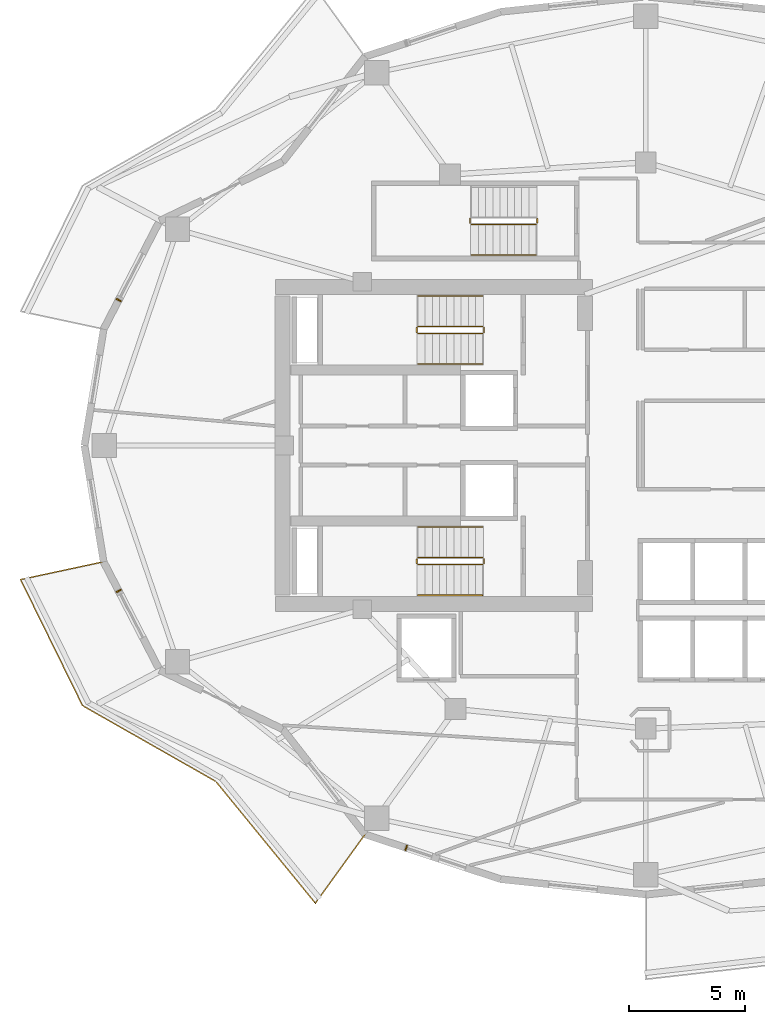
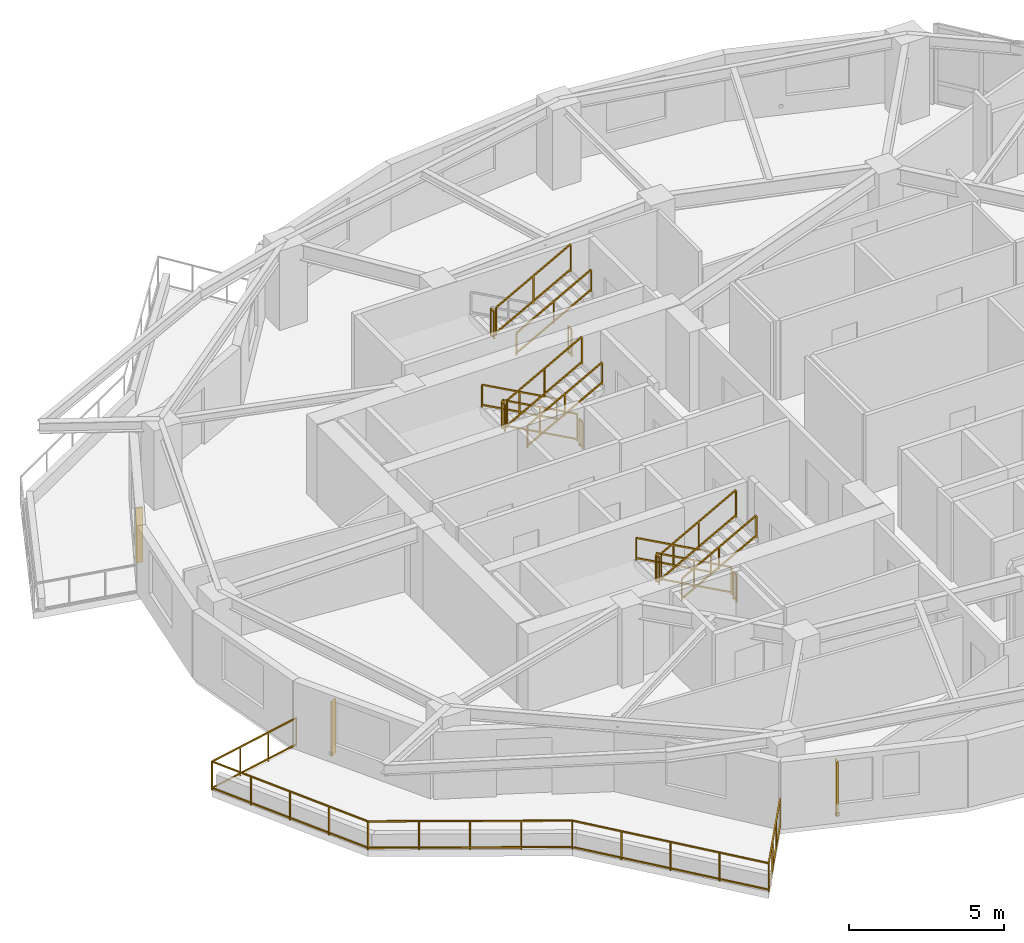
# One storey, part 13 of 15: 17 railings, 3 shading devices.
"""IFC4 building model written with IfcOpenShell, lengths in metres."""

from ifc_helpers import new_model, si_unit, direction, frame, origin, origin_2d, place, context, subcontext, project, spatial, rectangle, extrude, material, type_object, element, save


model = new_model("IFC4")

# Units and contexts
model_context = context("Model", 3, precision=1e-05, world=origin(), true_north=direction((0.0, 1.0)))
body_context = subcontext(model_context, "Body", "Model", "MODEL_VIEW")
ifc_project = project(units=[si_unit("LENGTHUNIT", "METRE"), si_unit("AREAUNIT", "SQUARE_METRE"), si_unit("VOLUMEUNIT", "CUBIC_METRE"), si_unit("PLANEANGLEUNIT", "RADIAN"), si_unit("MASSUNIT", "GRAM", prefix="KILO")], contexts=[model_context])

# Site, building, storey
site_placement = place(None, origin())
site = spatial("IfcSite", under=ifc_project, at=site_placement, CompositionType="ELEMENT")
building_placement = place(site_placement, origin())
building = spatial("IfcBuilding", under=site, at=building_placement, Name="Kolvaren Gate Tower and Convention Centre", CompositionType="ELEMENT")
storey_placement = place(building_placement, frame((0.0, 0.0, 129.10009765625)))
storey = spatial("IfcBuildingStorey", under=building, at=storey_placement, Name="L32", CompositionType="ELEMENT", Elevation=129.10009765625)

# Railings
ifc_material_1 = material(Name="Brushed Stainless Steel Grade 316L", Category="steel")
railing_type_1 = type_object("IfcRailingType", Name="ARCH-RL-GUARD-1150", PredefinedType="GUARDRAIL", material=ifc_material_1)
railing_1_placement = place(storey_placement, frame((23.10009765625, 32.1298828125, 0.169921875)))
element("IfcRailing", 1, at=railing_1_placement, inside=storey, type_object=railing_type_1, Name="L32 ST-T1 stair guard 1", PredefinedType="GUARDRAIL", context=body_context, shape_type="SweptSolid", body=[
    extrude(rectangle(XDim=0.048095703125, YDim=0.048095703125, at=origin_2d()), frame((0.0, 0.0, 1.076171875), z_axis=(-0.876811365212, 0.0, 0.480834513982), x_axis=(0.0, -1.0, 0.0)), (0.0, 0.0, 1.0), 3.18212890625),
    extrude(rectangle(XDim=0.048095703125, YDim=0.048095703125, at=origin_2d()), frame((0.0, 0.0, 0.083984375), z_axis=(-0.876811365212, 0.0, 0.480834513982), x_axis=(0.0, -1.0, 0.0)), (0.0, 0.0, 1.0), 3.18212890625),
    extrude(rectangle(XDim=0.0419921875, YDim=0.0419921875, at=origin_2d()), origin(), (0.0, 0.0, 1.0), 1.050048828125),
    extrude(rectangle(XDim=0.0419921875, YDim=0.0419921875, at=origin_2d()), frame((-2.7900390625, 0.0, 1.530029296875)), (0.0, 0.0, 1.0), 1.050048828125),
    extrude(rectangle(XDim=0.0419921875, YDim=0.0419921875, at=origin_2d()), frame((-1.39501953125, 0.0, 0.76513671875)), (0.0, 0.0, 1.0), 1.050048828125),
])
railing_2_placement = place(storey_placement, frame((20.260009765625, 32.080078125, 1.699951171875)))
element("IfcRailing", 2, at=railing_2_placement, inside=storey, type_object=railing_type_1, Name="L32 ST-T1 stair guard 2", PredefinedType="GUARDRAIL", context=body_context, shape_type="SweptSolid", body=[
    extrude(rectangle(XDim=0.048095703125, YDim=0.048095703125, at=origin_2d()), frame((0.0, 0.0, 1.076171875), z_axis=(0.0, -1.0, 0.0), x_axis=(1.0, 0.0, 0.0)), (0.0, 0.0, 1.0), 0.2001953125),
    extrude(rectangle(XDim=0.048095703125, YDim=0.048095703125, at=origin_2d()), frame((0.0, 0.0, 0.083984375), z_axis=(0.0, -1.0, 0.0), x_axis=(1.0, 0.0, 0.0)), (0.0, 0.0, 1.0), 0.2001953125),
    extrude(rectangle(XDim=0.0419921875, YDim=0.0419921875, at=origin_2d()), origin(), (0.0, 0.0, 1.0), 1.050048828125),
    extrude(rectangle(XDim=0.0419921875, YDim=0.0419921875, at=origin_2d()), frame((0.0, -0.2001953125, 0.0)), (0.0, 0.0, 1.0), 1.050048828125),
])
railing_3_placement = place(storey_placement, frame((20.31005859375, 31.830078125, 1.869873046875)))
element("IfcRailing", 3, at=railing_3_placement, inside=storey, type_object=railing_type_1, Name="L32 ST-T1 stair guard 3", PredefinedType="GUARDRAIL", context=body_context, shape_type="SweptSolid", body=[
    extrude(rectangle(XDim=0.048095703125, YDim=0.048095703125, at=origin_2d()), frame((0.0, 0.0, 1.076171875), z_axis=(0.876811365212, 0.0, 0.480834513982), x_axis=(0.0, 1.0, 0.0)), (0.0, 0.0, 1.0), 3.18212890625),
    extrude(rectangle(XDim=0.048095703125, YDim=0.048095703125, at=origin_2d()), frame((0.0, 0.0, 0.083984375), z_axis=(0.876811365212, 0.0, 0.480834513982), x_axis=(0.0, 1.0, 0.0)), (0.0, 0.0, 1.0), 3.18212890625),
    extrude(rectangle(XDim=0.0419921875, YDim=0.0419921875, at=origin_2d()), origin(), (0.0, 0.0, 1.0), 1.050048828125),
    extrude(rectangle(XDim=0.0419921875, YDim=0.0419921875, at=origin_2d()), frame((2.7900390625, 0.0, 1.530029296875)), (0.0, 0.0, 1.0), 1.050048828125),
    extrude(rectangle(XDim=0.0419921875, YDim=0.0419921875, at=origin_2d()), frame((1.39501953125, 0.0, 0.76513671875)), (0.0, 0.0, 1.0), 1.050048828125),
])
railing_4_placement = place(storey_placement, frame((23.14990234375, 32.080078125, 0.0)))
element("IfcRailing", 4, at=railing_4_placement, inside=storey, type_object=railing_type_1, Name="L32 ST-T1 stair guard 4", PredefinedType="GUARDRAIL", context=body_context, shape_type="SweptSolid", body=[
    extrude(rectangle(XDim=0.048095703125, YDim=0.048095703125, at=origin_2d()), frame((0.0, 0.0, 1.076171875), z_axis=(0.0, -1.0, 0.0), x_axis=(1.0, 0.0, 0.0)), (0.0, 0.0, 1.0), 0.2001953125),
    extrude(rectangle(XDim=0.048095703125, YDim=0.048095703125, at=origin_2d()), frame((0.0, 0.0, 0.083984375), z_axis=(0.0, -1.0, 0.0), x_axis=(1.0, 0.0, 0.0)), (0.0, 0.0, 1.0), 0.2001953125),
    extrude(rectangle(XDim=0.0419921875, YDim=0.0419921875, at=origin_2d()), origin(), (0.0, 0.0, 1.0), 1.050048828125),
    extrude(rectangle(XDim=0.0419921875, YDim=0.0419921875, at=origin_2d()), frame((0.0, -0.2001953125, 0.0)), (0.0, 0.0, 1.0), 1.050048828125),
])
railing_5_placement = place(storey_placement, frame((23.10009765625, 22.169921875, 0.169921875)))
element("IfcRailing", 5, at=railing_5_placement, inside=storey, type_object=railing_type_1, Name="L32 ST-T2 stair guard 1", PredefinedType="GUARDRAIL", context=body_context, shape_type="SweptSolid", body=[
    extrude(rectangle(XDim=0.048095703125, YDim=0.048095703125, at=origin_2d()), frame((0.0, 0.0, 1.076171875), z_axis=(-0.876811365212, 0.0, 0.480834513982), x_axis=(0.0, -1.0, 0.0)), (0.0, 0.0, 1.0), 3.18212890625),
    extrude(rectangle(XDim=0.048095703125, YDim=0.048095703125, at=origin_2d()), frame((0.0, 0.0, 0.083984375), z_axis=(-0.876811365212, 0.0, 0.480834513982), x_axis=(0.0, -1.0, 0.0)), (0.0, 0.0, 1.0), 3.18212890625),
    extrude(rectangle(XDim=0.0419921875, YDim=0.0419921875, at=origin_2d()), origin(), (0.0, 0.0, 1.0), 1.050048828125),
    extrude(rectangle(XDim=0.0419921875, YDim=0.0419921875, at=origin_2d()), frame((-2.7900390625, 0.0, 1.530029296875)), (0.0, 0.0, 1.0), 1.050048828125),
    extrude(rectangle(XDim=0.0419921875, YDim=0.0419921875, at=origin_2d()), frame((-1.39501953125, 0.0, 0.76513671875)), (0.0, 0.0, 1.0), 1.050048828125),
])
railing_6_placement = place(storey_placement, frame((20.260009765625, 22.1201171875, 1.699951171875)))
element("IfcRailing", 6, at=railing_6_placement, inside=storey, type_object=railing_type_1, Name="L32 ST-T2 stair guard 2", PredefinedType="GUARDRAIL", context=body_context, shape_type="SweptSolid", body=[
    extrude(rectangle(XDim=0.048095703125, YDim=0.048095703125, at=origin_2d()), frame((0.0, 0.0, 1.076171875), z_axis=(0.0, -1.0, 0.0), x_axis=(1.0, 0.0, 0.0)), (0.0, 0.0, 1.0), 0.2001953125),
    extrude(rectangle(XDim=0.048095703125, YDim=0.048095703125, at=origin_2d()), frame((0.0, 0.0, 0.083984375), z_axis=(0.0, -1.0, 0.0), x_axis=(1.0, 0.0, 0.0)), (0.0, 0.0, 1.0), 0.2001953125),
    extrude(rectangle(XDim=0.0419921875, YDim=0.0419921875, at=origin_2d()), origin(), (0.0, 0.0, 1.0), 1.050048828125),
    extrude(rectangle(XDim=0.0419921875, YDim=0.0419921875, at=origin_2d()), frame((0.0, -0.2001953125, 0.0)), (0.0, 0.0, 1.0), 1.050048828125),
])
railing_7_placement = place(storey_placement, frame((20.31005859375, 21.8701171875, 1.869873046875)))
element("IfcRailing", 7, at=railing_7_placement, inside=storey, type_object=railing_type_1, Name="L32 ST-T2 stair guard 3", PredefinedType="GUARDRAIL", context=body_context, shape_type="SweptSolid", body=[
    extrude(rectangle(XDim=0.048095703125, YDim=0.048095703125, at=origin_2d()), frame((0.0, 0.0, 1.076171875), z_axis=(0.876811365212, 0.0, 0.480834513982), x_axis=(0.0, 1.0, 0.0)), (0.0, 0.0, 1.0), 3.18212890625),
    extrude(rectangle(XDim=0.048095703125, YDim=0.048095703125, at=origin_2d()), frame((0.0, 0.0, 0.083984375), z_axis=(0.876811365212, 0.0, 0.480834513982), x_axis=(0.0, 1.0, 0.0)), (0.0, 0.0, 1.0), 3.18212890625),
    extrude(rectangle(XDim=0.0419921875, YDim=0.0419921875, at=origin_2d()), origin(), (0.0, 0.0, 1.0), 1.050048828125),
    extrude(rectangle(XDim=0.0419921875, YDim=0.0419921875, at=origin_2d()), frame((2.7900390625, 0.0, 1.530029296875)), (0.0, 0.0, 1.0), 1.050048828125),
    extrude(rectangle(XDim=0.0419921875, YDim=0.0419921875, at=origin_2d()), frame((1.39501953125, 0.0, 0.76513671875)), (0.0, 0.0, 1.0), 1.050048828125),
])
railing_8_placement = place(storey_placement, frame((23.14990234375, 22.1201171875, 0.0)))
element("IfcRailing", 8, at=railing_8_placement, inside=storey, type_object=railing_type_1, Name="L32 ST-T2 stair guard 4", PredefinedType="GUARDRAIL", context=body_context, shape_type="SweptSolid", body=[
    extrude(rectangle(XDim=0.048095703125, YDim=0.048095703125, at=origin_2d()), frame((0.0, 0.0, 1.076171875), z_axis=(0.0, -1.0, 0.0), x_axis=(1.0, 0.0, 0.0)), (0.0, 0.0, 1.0), 0.2001953125),
    extrude(rectangle(XDim=0.048095703125, YDim=0.048095703125, at=origin_2d()), frame((0.0, 0.0, 0.083984375), z_axis=(0.0, -1.0, 0.0), x_axis=(1.0, 0.0, 0.0)), (0.0, 0.0, 1.0), 0.2001953125),
    extrude(rectangle(XDim=0.0419921875, YDim=0.0419921875, at=origin_2d()), origin(), (0.0, 0.0, 1.0), 1.050048828125),
    extrude(rectangle(XDim=0.0419921875, YDim=0.0419921875, at=origin_2d()), frame((0.0, -0.2001953125, 0.0)), (0.0, 0.0, 1.0), 1.050048828125),
])
railing_9_placement = place(storey_placement, frame((22.56005859375, 36.780029296875, 1.699951171875)))
element("IfcRailing", 9, at=railing_9_placement, inside=storey, type_object=railing_type_1, Name="L32 ST-T3 stair guard 2", PredefinedType="GUARDRAIL", context=body_context, shape_type="SweptSolid", body=[
    extrude(rectangle(XDim=0.048095703125, YDim=0.048095703125, at=origin_2d()), frame((0.0, 0.0, 1.076171875), z_axis=(0.0, -1.0, 0.0), x_axis=(1.0, 0.0, 0.0)), (0.0, 0.0, 1.0), 0.199951171875),
    extrude(rectangle(XDim=0.048095703125, YDim=0.048095703125, at=origin_2d()), frame((0.0, 0.0, 0.083984375), z_axis=(0.0, -1.0, 0.0), x_axis=(1.0, 0.0, 0.0)), (0.0, 0.0, 1.0), 0.199951171875),
    extrude(rectangle(XDim=0.0419921875, YDim=0.0419921875, at=origin_2d()), origin(), (0.0, 0.0, 1.0), 1.050048828125),
    extrude(rectangle(XDim=0.0419921875, YDim=0.0419921875, at=origin_2d()), frame((0.0, -0.199951171875, 0.0)), (0.0, 0.0, 1.0), 1.050048828125),
])
railing_10_placement = place(storey_placement, frame((22.610107421875, 36.530029296875, 1.869873046875)))
element("IfcRailing", 10, at=railing_10_placement, inside=storey, type_object=railing_type_1, Name="L32 ST-T3 stair guard 3", PredefinedType="GUARDRAIL", context=body_context, shape_type="SweptSolid", body=[
    extrude(rectangle(XDim=0.048095703125, YDim=0.048095703125, at=origin_2d()), frame((0.0, 0.0, 1.076171875), z_axis=(0.8767936245, 0.0, 0.480866863109), x_axis=(0.0, 1.0, 0.0)), (0.0, 0.0, 1.0), 3.181884765625),
    extrude(rectangle(XDim=0.048095703125, YDim=0.048095703125, at=origin_2d()), frame((0.0, 0.0, 0.083984375), z_axis=(0.8767936245, 0.0, 0.480866863109), x_axis=(0.0, 1.0, 0.0)), (0.0, 0.0, 1.0), 3.181884765625),
    extrude(rectangle(XDim=0.0419921875, YDim=0.0419921875, at=origin_2d()), origin(), (0.0, 0.0, 1.0), 1.050048828125),
    extrude(rectangle(XDim=0.0419921875, YDim=0.0419921875, at=origin_2d()), frame((2.789794921875, 0.0, 1.530029296875)), (0.0, 0.0, 1.0), 1.050048828125),
    extrude(rectangle(XDim=0.0419921875, YDim=0.0419921875, at=origin_2d()), frame((1.39501953125, 0.0, 0.76513671875)), (0.0, 0.0, 1.0), 1.050048828125),
])
railing_11_placement = place(storey_placement, frame((25.449951171875, 36.780029296875, 0.0)))
element("IfcRailing", 11, at=railing_11_placement, inside=storey, type_object=railing_type_1, Name="L32 ST-T3 stair guard 4", PredefinedType="GUARDRAIL", context=body_context, shape_type="SweptSolid", body=[
    extrude(rectangle(XDim=0.048095703125, YDim=0.048095703125, at=origin_2d()), frame((0.0, 0.0, 1.076171875), z_axis=(0.0, -1.0, 0.0), x_axis=(1.0, 0.0, 0.0)), (0.0, 0.0, 1.0), 0.199951171875),
    extrude(rectangle(XDim=0.048095703125, YDim=0.048095703125, at=origin_2d()), frame((0.0, 0.0, 0.083984375), z_axis=(0.0, -1.0, 0.0), x_axis=(1.0, 0.0, 0.0)), (0.0, 0.0, 1.0), 0.199951171875),
    extrude(rectangle(XDim=0.0419921875, YDim=0.0419921875, at=origin_2d()), origin(), (0.0, 0.0, 1.0), 1.050048828125),
    extrude(rectangle(XDim=0.0419921875, YDim=0.0419921875, at=origin_2d()), frame((0.0, -0.199951171875, 0.0)), (0.0, 0.0, 1.0), 1.050048828125),
])
railing_12_placement = place(storey_placement, frame((6.76171875, 21.991943359375, 0.0)))
element("IfcRailing", 12, at=railing_12_placement, inside=storey, type_object=railing_type_1, Name="Tower L32 Terrace Perimeter Guardrail GR-2", PredefinedType="GUARDRAIL", context=body_context, shape_type="SweptSolid", body=[
    extrude(rectangle(XDim=0.048095703125, YDim=0.048095703125, at=origin_2d()), frame((-0.02734375, -0.005859375, 1.1259765625), z_axis=(-0.977788745232, -0.209592866525, 0.0), x_axis=(0.209592866525, -0.977788745232, 0.0)), (0.0, 0.0, 1.0), 3.603759765625),
    extrude(rectangle(XDim=0.048095703125, YDim=0.048095703125, at=origin_2d()), frame((-0.02734375, -0.005859375, 0.083984375), z_axis=(-0.977788745232, -0.209592866525, 0.0), x_axis=(0.209592866525, -0.977788745232, 0.0)), (0.0, 0.0, 1.0), 3.603759765625),
    extrude(rectangle(XDim=0.048095703125, YDim=0.048095703125, at=origin_2d()), frame((-3.566162109375, -0.792236328125, 1.1259765625), z_axis=(0.441237167293, -0.897390529368, 0.0), x_axis=(0.897390529368, 0.441237167293, 0.0)), (0.0, 0.0, 1.0), 5.999755859375),
    extrude(rectangle(XDim=0.048095703125, YDim=0.048095703125, at=origin_2d()), frame((-3.566162109375, -0.792236328125, 0.083984375), z_axis=(0.441237167293, -0.897390529368, 0.0), x_axis=(0.897390529368, 0.441237167293, 0.0)), (0.0, 0.0, 1.0), 5.999755859375),
    extrude(rectangle(XDim=0.048095703125, YDim=0.048095703125, at=origin_2d()), frame((-0.882080078125, -6.215576171875, 1.1259765625), z_axis=(0.869196694318, -0.494466486819, 0.0), x_axis=(0.494466486819, 0.869196694318, 0.0)), (0.0, 0.0, 1.0), 6.55029296875),
    extrude(rectangle(XDim=0.048095703125, YDim=0.048095703125, at=origin_2d()), frame((-0.882080078125, -6.215576171875, 0.083984375), z_axis=(0.869196694318, -0.494466486819, 0.0), x_axis=(0.494466486819, 0.869196694318, 0.0)), (0.0, 0.0, 1.0), 6.55029296875),
    extrude(rectangle(XDim=0.048095703125, YDim=0.048095703125, at=origin_2d()), frame((4.853515625, -9.489990234375, 1.1259765625), z_axis=(0.633002467947, -0.77414977593, 0.0), x_axis=(0.77414977593, 0.633002467947, 0.0)), (0.0, 0.0, 1.0), 6.724365234375),
    extrude(rectangle(XDim=0.048095703125, YDim=0.048095703125, at=origin_2d()), frame((4.853515625, -9.489990234375, 0.083984375), z_axis=(0.633002467947, -0.77414977593, 0.0), x_axis=(0.77414977593, 0.633002467947, 0.0)), (0.0, 0.0, 1.0), 6.724365234375),
    extrude(rectangle(XDim=0.048095703125, YDim=0.048095703125, at=origin_2d()), frame((9.14404296875, -14.694580078125, 1.1259765625), z_axis=(0.585212870465, 0.810879705161, 0.0), x_axis=(-0.810879705161, 0.585212870465, 0.0)), (0.0, 0.0, 1.0), 3.603759765625),
    extrude(rectangle(XDim=0.048095703125, YDim=0.048095703125, at=origin_2d()), frame((9.14404296875, -14.694580078125, 0.083984375), z_axis=(0.585212870465, 0.810879705161, 0.0), x_axis=(-0.810879705161, 0.585212870465, 0.0)), (0.0, 0.0, 1.0), 3.603759765625),
    extrude(rectangle(XDim=0.0419921875, YDim=0.0419921875, at=origin_2d()), origin(), (0.0, 0.0, 1.0), 1.14990234375),
    extrude(rectangle(XDim=0.0419921875, YDim=0.0419921875, at=origin_2d()), frame((-3.57861328125, -0.76708984375, 0.0)), (0.0, 0.0, 1.0), 1.14990234375),
    extrude(rectangle(XDim=0.0419921875, YDim=0.0419921875, at=origin_2d()), frame((-1.19287109375, -0.255615234375, 0.0)), (0.0, 0.0, 1.0), 1.099853515625),
    extrude(rectangle(XDim=0.0419921875, YDim=0.0419921875, at=origin_2d()), frame((-2.3857421875, -0.511474609375, 0.0)), (0.0, 0.0, 1.0), 1.099853515625),
    extrude(rectangle(XDim=0.0419921875, YDim=0.0419921875, at=origin_2d()), frame((-0.906494140625, -6.20166015625, 0.0)), (0.0, 0.0, 1.0), 1.14990234375),
    extrude(rectangle(XDim=0.0419921875, YDim=0.0419921875, at=origin_2d()), frame((-2.91064453125, -2.125732421875, 0.0)), (0.0, 0.0, 1.0), 1.099853515625),
    extrude(rectangle(XDim=0.0419921875, YDim=0.0419921875, at=origin_2d()), frame((-2.24267578125, -3.484375, 0.0)), (0.0, 0.0, 1.0), 1.099853515625),
    extrude(rectangle(XDim=0.0419921875, YDim=0.0419921875, at=origin_2d()), frame((-1.574462890625, -4.843017578125, 0.0)), (0.0, 0.0, 1.0), 1.099853515625),
    extrude(rectangle(XDim=0.0419921875, YDim=0.0419921875, at=origin_2d()), frame((4.835693359375, -9.46826171875, 0.0)), (0.0, 0.0, 1.0), 1.14990234375),
    extrude(rectangle(XDim=0.0419921875, YDim=0.0419921875, at=origin_2d()), frame((0.529052734375, -7.018310546875, 0.0)), (0.0, 0.0, 1.0), 1.099853515625),
    extrude(rectangle(XDim=0.0419921875, YDim=0.0419921875, at=origin_2d()), frame((1.964599609375, -7.8349609375, 0.0)), (0.0, 0.0, 1.0), 1.099853515625),
    extrude(rectangle(XDim=0.0419921875, YDim=0.0419921875, at=origin_2d()), frame((3.400146484375, -8.651611328125, 0.0)), (0.0, 0.0, 1.0), 1.099853515625),
    extrude(rectangle(XDim=0.0419921875, YDim=0.0419921875, at=origin_2d()), frame((9.127685546875, -14.71728515625, 0.0)), (0.0, 0.0, 1.0), 1.14990234375),
    extrude(rectangle(XDim=0.0419921875, YDim=0.0419921875, at=origin_2d()), frame((5.90869140625, -10.780517578125, 0.0)), (0.0, 0.0, 1.0), 1.099853515625),
    extrude(rectangle(XDim=0.0419921875, YDim=0.0419921875, at=origin_2d()), frame((6.981689453125, -12.0927734375, 0.0)), (0.0, 0.0, 1.0), 1.099853515625),
    extrude(rectangle(XDim=0.0419921875, YDim=0.0419921875, at=origin_2d()), frame((8.0546875, -13.405029296875, 0.0)), (0.0, 0.0, 1.0), 1.099853515625),
    extrude(rectangle(XDim=0.0419921875, YDim=0.0419921875, at=origin_2d()), frame((11.26953125, -11.74951171875, 0.0)), (0.0, 0.0, 1.0), 1.14990234375),
    extrude(rectangle(XDim=0.0419921875, YDim=0.0419921875, at=origin_2d()), frame((9.841552734375, -13.72802734375, 0.0)), (0.0, 0.0, 1.0), 1.099853515625),
    extrude(rectangle(XDim=0.0419921875, YDim=0.0419921875, at=origin_2d()), frame((10.5556640625, -12.73876953125, 0.0)), (0.0, 0.0, 1.0), 1.099853515625),
])
railing_type_2 = type_object("IfcRailingType", Name="ARCH-RL-HANDRAIL-920", PredefinedType="HANDRAIL", material=ifc_material_1)
railing_13_placement = place(storey_placement, frame((23.10009765625, 33.449951171875, 0.169921875)))
element("IfcRailing", 13, at=railing_13_placement, inside=storey, type_object=railing_type_2, Name="L32 ST-T1 stair handrail 1", PredefinedType="HANDRAIL", context=body_context, shape_type="SweptSolid", body=[
    extrude(rectangle(XDim=0.048095703125, YDim=0.048095703125, at=origin_2d()), frame((0.0, 0.0, 0.8759765625), z_axis=(-0.876811365212, 0.0, 0.480834513982), x_axis=(0.0, -1.0, 0.0)), (0.0, 0.0, 1.0), 3.18212890625),
    extrude(rectangle(XDim=0.048095703125, YDim=0.048095703125, at=origin_2d()), frame((0.0, 0.0, 0.083984375), z_axis=(-0.876811365212, 0.0, 0.480834513982), x_axis=(0.0, -1.0, 0.0)), (0.0, 0.0, 1.0), 3.18212890625),
    extrude(rectangle(XDim=0.0419921875, YDim=0.0419921875, at=origin_2d()), origin(), (0.0, 0.0, 1.0), 0.849853515625),
    extrude(rectangle(XDim=0.0419921875, YDim=0.0419921875, at=origin_2d()), frame((-2.7900390625, 0.0, 1.530029296875)), (0.0, 0.0, 1.0), 0.849853515625),
    extrude(rectangle(XDim=0.0419921875, YDim=0.0419921875, at=origin_2d()), frame((-1.39501953125, 0.0, 0.76513671875)), (0.0, 0.0, 1.0), 0.849853515625),
])
railing_14_placement = place(storey_placement, frame((20.31005859375, 30.510009765625, 1.869873046875)))
element("IfcRailing", 14, at=railing_14_placement, inside=storey, type_object=railing_type_2, Name="L32 ST-T1 stair handrail 2", PredefinedType="HANDRAIL", context=body_context, shape_type="SweptSolid", body=[
    extrude(rectangle(XDim=0.048095703125, YDim=0.048095703125, at=origin_2d()), frame((0.0, 0.0, 0.8759765625), z_axis=(0.876811365212, 0.0, 0.480834513982), x_axis=(0.0, 1.0, 0.0)), (0.0, 0.0, 1.0), 3.18212890625),
    extrude(rectangle(XDim=0.048095703125, YDim=0.048095703125, at=origin_2d()), frame((0.0, 0.0, 0.083984375), z_axis=(0.876811365212, 0.0, 0.480834513982), x_axis=(0.0, 1.0, 0.0)), (0.0, 0.0, 1.0), 3.18212890625),
    extrude(rectangle(XDim=0.0419921875, YDim=0.0419921875, at=origin_2d()), origin(), (0.0, 0.0, 1.0), 0.849853515625),
    extrude(rectangle(XDim=0.0419921875, YDim=0.0419921875, at=origin_2d()), frame((2.7900390625, 0.0, 1.530029296875)), (0.0, 0.0, 1.0), 0.849853515625),
    extrude(rectangle(XDim=0.0419921875, YDim=0.0419921875, at=origin_2d()), frame((1.39501953125, 0.0, 0.76513671875)), (0.0, 0.0, 1.0), 0.849853515625),
])
railing_15_placement = place(storey_placement, frame((23.10009765625, 23.489990234375, 0.169921875)))
element("IfcRailing", 15, at=railing_15_placement, inside=storey, type_object=railing_type_2, Name="L32 ST-T2 stair handrail 1", PredefinedType="HANDRAIL", context=body_context, shape_type="SweptSolid", body=[
    extrude(rectangle(XDim=0.048095703125, YDim=0.048095703125, at=origin_2d()), frame((0.0, 0.0, 0.8759765625), z_axis=(-0.876811365212, 0.0, 0.480834513982), x_axis=(0.0, -1.0, 0.0)), (0.0, 0.0, 1.0), 3.18212890625),
    extrude(rectangle(XDim=0.048095703125, YDim=0.048095703125, at=origin_2d()), frame((0.0, 0.0, 0.083984375), z_axis=(-0.876811365212, 0.0, 0.480834513982), x_axis=(0.0, -1.0, 0.0)), (0.0, 0.0, 1.0), 3.18212890625),
    extrude(rectangle(XDim=0.0419921875, YDim=0.0419921875, at=origin_2d()), origin(), (0.0, 0.0, 1.0), 0.849853515625),
    extrude(rectangle(XDim=0.0419921875, YDim=0.0419921875, at=origin_2d()), frame((-2.7900390625, 0.0, 1.530029296875)), (0.0, 0.0, 1.0), 0.849853515625),
    extrude(rectangle(XDim=0.0419921875, YDim=0.0419921875, at=origin_2d()), frame((-1.39501953125, 0.0, 0.76513671875)), (0.0, 0.0, 1.0), 0.849853515625),
])
railing_16_placement = place(storey_placement, frame((20.31005859375, 20.550048828125, 1.869873046875)))
element("IfcRailing", 16, at=railing_16_placement, inside=storey, type_object=railing_type_2, Name="L32 ST-T2 stair handrail 2", PredefinedType="HANDRAIL", context=body_context, shape_type="SweptSolid", body=[
    extrude(rectangle(XDim=0.048095703125, YDim=0.048095703125, at=origin_2d()), frame((0.0, 0.0, 0.8759765625), z_axis=(0.876811365212, 0.0, 0.480834513982), x_axis=(0.0, 1.0, 0.0)), (0.0, 0.0, 1.0), 3.18212890625),
    extrude(rectangle(XDim=0.048095703125, YDim=0.048095703125, at=origin_2d()), frame((0.0, 0.0, 0.083984375), z_axis=(0.876811365212, 0.0, 0.480834513982), x_axis=(0.0, 1.0, 0.0)), (0.0, 0.0, 1.0), 3.18212890625),
    extrude(rectangle(XDim=0.0419921875, YDim=0.0419921875, at=origin_2d()), origin(), (0.0, 0.0, 1.0), 0.849853515625),
    extrude(rectangle(XDim=0.0419921875, YDim=0.0419921875, at=origin_2d()), frame((2.7900390625, 0.0, 1.530029296875)), (0.0, 0.0, 1.0), 0.849853515625),
    extrude(rectangle(XDim=0.0419921875, YDim=0.0419921875, at=origin_2d()), frame((1.39501953125, 0.0, 0.76513671875)), (0.0, 0.0, 1.0), 0.849853515625),
])
railing_17_placement = place(storey_placement, frame((22.610107421875, 35.2099609375, 1.869873046875)))
element("IfcRailing", 17, at=railing_17_placement, inside=storey, type_object=railing_type_2, Name="L32 ST-T3 stair handrail 2", PredefinedType="HANDRAIL", context=body_context, shape_type="SweptSolid", body=[
    extrude(rectangle(XDim=0.048095703125, YDim=0.048095703125, at=origin_2d()), frame((0.0, 0.0, 0.8759765625), z_axis=(0.8767936245, 0.0, 0.480866863109), x_axis=(0.0, 1.0, 0.0)), (0.0, 0.0, 1.0), 3.181884765625),
    extrude(rectangle(XDim=0.048095703125, YDim=0.048095703125, at=origin_2d()), frame((0.0, 0.0, 0.083984375), z_axis=(0.8767936245, 0.0, 0.480866863109), x_axis=(0.0, 1.0, 0.0)), (0.0, 0.0, 1.0), 3.181884765625),
    extrude(rectangle(XDim=0.0419921875, YDim=0.0419921875, at=origin_2d()), origin(), (0.0, 0.0, 1.0), 0.849853515625),
    extrude(rectangle(XDim=0.0419921875, YDim=0.0419921875, at=origin_2d()), frame((2.789794921875, 0.0, 1.530029296875)), (0.0, 0.0, 1.0), 0.849853515625),
    extrude(rectangle(XDim=0.0419921875, YDim=0.0419921875, at=origin_2d()), frame((1.39501953125, 0.0, 0.76513671875)), (0.0, 0.0, 1.0), 0.849853515625),
])

# Shading devices
ifc_material_2 = material(Name="Kiln-Fired Bogota Terracotta Ceramic Louvre Profile", Category="masonry")
shading_device_type = type_object("IfcShadingDeviceType", Name="ARCH-SHD-FIN-180", PredefinedType="JALOUSIE", material=ifc_material_2)
for number, where, z_axis, x_axis, name in (
    (18, (7.413818359375, 33.267333984375, 0.219970703125), (0.0, 0.0, 1.0), (0.459781360558, 0.888032150591, 0.0), "Ceramic Vertical Brise-Soleil Fin FN-L32-10"),
    (19, (7.413818359375, 20.732666015625, 0.219970703125), (0.0, 0.0, 1.0), (0.459781360558, -0.888032150591, 0.0), "Ceramic Vertical Brise-Soleil Fin FN-L32-13"),
    (20, (19.799560546875, 9.656494140625, 0.219970703125), (0.0, 0.0, 1.0), (0.949240081615, -0.314552487599, 0.0), "Ceramic Vertical Brise-Soleil Fin FN-L32-16"),
):
    element("IfcShadingDevice", number, at=place(storey_placement, frame(where, z_axis=z_axis, x_axis=x_axis)), inside=storey, type_object=shading_device_type, Name=name, PredefinedType="JALOUSIE", context=body_context, shape_type="SweptSolid", body=[
        extrude(rectangle(XDim=0.06005859375, YDim=0.239990234375, at=origin_2d()), origin(), (0.0, 0.0, 1.0), 2.14990234375),
    ])

save(model, "model.ifc")
